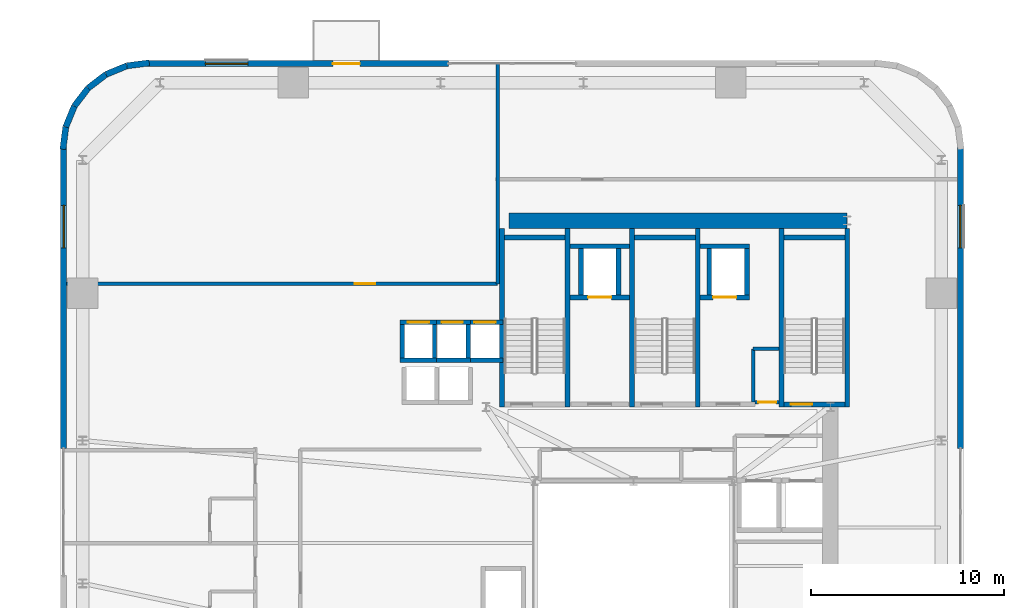
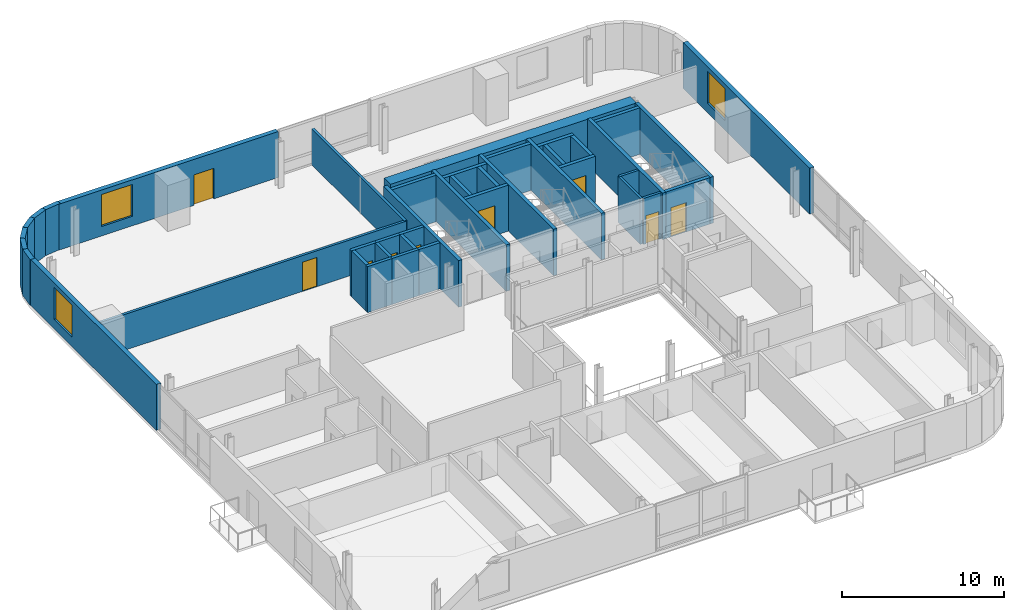
# One storey, part 8 of 14: 42 walls, 9 doors, 3 windows, 12 openings.
"""IFC4 building model written with IfcOpenShell, lengths in metres."""

from ifc_helpers import new_model, si_unit, direction, frame, frame_2d, origin, place, context, subcontext, project, spatial, rectangle, extrude, source, transform, mapped, material, layer, layer_set, type_object, element, fill, save


model = new_model("IFC4")

# Units and contexts
model_context = context("Model", 3, precision=1e-05, world=origin(), true_north=direction((0.0, 1.0)))
body_context = subcontext(model_context, "Body", "Model", "MODEL_VIEW")
ifc_project = project(units=[si_unit("LENGTHUNIT", "METRE"), si_unit("AREAUNIT", "SQUARE_METRE"), si_unit("VOLUMEUNIT", "CUBIC_METRE"), si_unit("PLANEANGLEUNIT", "RADIAN"), si_unit("MASSUNIT", "GRAM", prefix="KILO")], contexts=[model_context])

# Site, building, storey
site_placement = place(None, origin())
site = spatial("IfcSite", under=ifc_project, at=site_placement, CompositionType="ELEMENT")
building_placement = place(site_placement, origin())
building = spatial("IfcBuilding", under=site, at=building_placement, Name="Vardaveli Station Tower", CompositionType="ELEMENT")
storey_placement = place(building_placement, frame((0.0, 0.0, 152.0)))
storey = spatial("IfcBuildingStorey", under=building, at=storey_placement, Name="L39", CompositionType="ELEMENT", Elevation=152.0)

# Wall
ifc_material_1 = material(Name="Concrete C50/60", Category="concrete")
ifc_layer_1 = layer(ifc_material_1, 0.800048828125, Name="Concrete C50/60")
ifc_layer_set_1 = layer_set([ifc_layer_1], Name="Concrete C50/60")
wall_type_1 = type_object("IfcWallType", Name="WAL-CORE-800", PredefinedType="SHEAR", material=ifc_layer_set_1)
shared_shape_1 = source(origin(), body_context, "Body", "SweptSolid", [
    extrude(rectangle(XDim=17.52001953125, YDim=0.800048828125, at=frame_2d((8.760009765625, 0.0))), origin(), (0.0, 0.0, 1.0), 3.4599609375),
])
wall_1_placement = place(storey_placement, frame((29.85009765625, 40.300048828125, 0.0), z_axis=(0.0, 0.0, 1.0), x_axis=(1.0, 0.0, 0.0)))
element("IfcWall", 1, at=wall_1_placement, inside=storey, type_object=wall_type_1, Name="SW-L39-NORTH", PredefinedType="SHEAR", context=body_context, shape_type="MappedRepresentation", body=[
    mapped(shared_shape_1, transform((0.0, 0.0, 0.0), scale=1.0)),
])

# Wall, openings, door, window
ifc_material_2 = material(Name="Precast concrete C45/55", Category="concrete")
ifc_layer_2 = layer(ifc_material_2, 0.320068359375, Name="Precast concrete C45/55")
ifc_layer_set_2 = layer_set([ifc_layer_2], Name="Precast concrete C45/55")
wall_type_2 = type_object("IfcWallType", Name="WAL-EXT-STONE-320", PredefinedType="SOLIDWALL", material=ifc_layer_set_2)
shared_shape_2 = source(origin(), body_context, "Body", "SweptSolid", [
    extrude(rectangle(XDim=15.599853515625, YDim=0.320068359375, at=frame_2d((7.7998046875, 0.0))), origin(), (0.0, 0.0, 1.0), 3.4599609375),
])
wall_2_placement = place(storey_placement, frame((26.699951171875, 48.43994140625, 0.0), z_axis=(0.0, 0.0, 1.0), x_axis=(-1.0, 0.0, 0.0)))
wall_2 = element("IfcWall", 2, at=wall_2_placement, inside=storey, type_object=wall_type_2, Name="EW-L39-N2", PredefinedType="SOLIDWALL", context=body_context, shape_type="MappedRepresentation", body=[
    mapped(shared_shape_2, transform((0.0, 0.0, 0.0), scale=1.0)),
])
shared_shape_3 = source(origin(), body_context, "Body", "SweptSolid", [
    extrude(rectangle(XDim=1.39990234375, YDim=2.300048828125, at=frame_2d((0.699951171875, 1.14990234375))), frame((0.0, 0.169921875, 0.0), z_axis=(0.0, -1.0, 0.0), x_axis=(1.0, 0.0, 0.0)), (0.0, 0.0, 1.0), 0.340087890625),
])
opening_1_placement = place(wall_2_placement, frame((4.589599609375, 0.0, 0.0)))
opening_1 = element("IfcOpeningElement", 3, at=opening_1_placement, cuts=wall_2, Name="Opening D-09", PredefinedType="OPENING", context=body_context, shape_type="MappedRepresentation", body=[
    mapped(shared_shape_3, transform((0.0, 0.0, 0.0), scale=1.0)),
])
shared_shape_4 = source(origin(), body_context, "Body", "SweptSolid", [
    extrude(rectangle(XDim=2.199951171875, YDim=2.39990234375, at=frame_2d((1.10009765625, 1.199951171875))), frame((0.0, 0.169921875, 0.0), z_axis=(0.0, -1.0, 0.0), x_axis=(1.0, 0.0, 0.0)), (0.0, 0.0, 1.0), 0.340087890625),
])
opening_2_placement = place(wall_2_placement, frame((10.39501953125, 0.0, 0.719970703125)))
opening_2 = element("IfcOpeningElement", 4, at=opening_2_placement, cuts=wall_2, Name="Opening W-03", PredefinedType="OPENING", context=body_context, shape_type="MappedRepresentation", body=[
    mapped(shared_shape_4, transform((0.0, 0.0, 0.0), scale=1.0)),
])
ifc_material_3 = material(Name="Thermally broken aluminium glass", Category="aluminium")
door_type_1 = type_object("IfcDoorType", Name="DR-LOG-1400x2300", OperationType="DOUBLE_DOOR_SLIDING", PredefinedType="DOOR", material=ifc_material_3)
shared_shape_5 = source(origin(), body_context, "Body", "SweptSolid", [
    extrude(rectangle(XDim=1.39990234375, YDim=2.300048828125, at=frame_2d((0.699951171875, 1.14990234375))), frame((0.0, 0.02490234375, 0.0), z_axis=(0.0, -1.0, 0.0), x_axis=(1.0, 0.0, 0.0)), (0.0, 0.0, 1.0), 0.050048828125),
])
door_1_placement = place(opening_1_placement, frame((1.39990234375, 0.0, 0.0), z_axis=(0.0, 0.0, 1.0), x_axis=(-1.0, 0.0, 0.0)))
door_1 = element("IfcDoor", 5, at=door_1_placement, inside=storey, type_object=door_type_1, Name="DLG-L39-N", OperationType="DOUBLE_DOOR_SLIDING", OverallHeight=2.300048828125, OverallWidth=1.39990234375, PredefinedType="DOOR", context=body_context, shape_type="MappedRepresentation", body=[
    mapped(shared_shape_5, transform((0.0, 0.0, 0.0), scale=1.0)),
])
fill(opening_1, door_1)
ifc_material_4 = material(Name="Low-E solar-control glass", Category="glass")
window_type = type_object("IfcWindowType", Name="WIN-LOG-2200x2400", PartitioningType="SINGLE_PANEL", PredefinedType="WINDOW", material=ifc_material_4)
shared_shape_6 = source(origin(), body_context, "Body", "SweptSolid", [
    extrude(rectangle(XDim=2.199951171875, YDim=2.39990234375, at=frame_2d((1.10009765625, 1.199951171875))), frame((0.0, 0.030029296875, 0.0), z_axis=(0.0, -1.0, 0.0), x_axis=(1.0, 0.0, 0.0)), (0.0, 0.0, 1.0), 0.06005859375),
])
window_1_placement = place(opening_2_placement, origin())
window_1 = element("IfcWindow", 6, at=window_1_placement, inside=storey, type_object=window_type, Name="WN-L39-N2", OverallHeight=2.39990234375, OverallWidth=2.199951171875, PartitioningType="SINGLE_PANEL", PredefinedType="WINDOW", context=body_context, shape_type="MappedRepresentation", body=[
    mapped(shared_shape_6, transform((0.0, 0.0, 0.0), scale=1.0)),
])
fill(opening_2, window_1)

# Wall, opening, window
shared_shape_7 = source(origin(), body_context, "Body", "SweptSolid", [
    extrude(rectangle(XDim=15.60009765625, YDim=0.320068359375, at=frame_2d((7.800048828125, 0.0))), origin(), (0.0, 0.0, 1.0), 3.4599609375),
])
wall_3_placement = place(storey_placement, frame((6.760009765625, 44.10009765625, 0.0), z_axis=(0.0, 0.0, 1.0), x_axis=(0.0, -1.0, 0.0)))
wall_3 = element("IfcWall", 7, at=wall_3_placement, inside=storey, type_object=wall_type_2, Name="EW-L39-W1", PredefinedType="SOLIDWALL", context=body_context, shape_type="MappedRepresentation", body=[
    mapped(shared_shape_7, transform((0.0, 0.0, 0.0), scale=1.0)),
])
opening_3_placement = place(wall_3_placement, frame((3.0048828125, 0.0, 0.719970703125)))
opening_3 = element("IfcOpeningElement", 8, at=opening_3_placement, cuts=wall_3, Name="Opening W-03", PredefinedType="OPENING", context=body_context, shape_type="MappedRepresentation", body=[
    mapped(shared_shape_4, transform((0.0, 0.0, 0.0), scale=1.0)),
])
window_2_placement = place(opening_3_placement, origin())
window_2 = element("IfcWindow", 9, at=window_2_placement, inside=storey, type_object=window_type, Name="WN-L39-W1", OverallHeight=2.39990234375, OverallWidth=2.199951171875, PartitioningType="SINGLE_PANEL", PredefinedType="WINDOW", context=body_context, shape_type="MappedRepresentation", body=[
    mapped(shared_shape_6, transform((0.0, 0.0, 0.0), scale=1.0)),
])
fill(opening_3, window_2)

wall_4_placement = place(storey_placement, frame((53.239990234375, 28.5, 0.0), z_axis=(0.0, 0.0, 1.0), x_axis=(0.0, 1.0, 0.0)))
wall_4 = element("IfcWall", 10, at=wall_4_placement, inside=storey, type_object=wall_type_2, Name="EW-L39-E2", PredefinedType="SOLIDWALL", context=body_context, shape_type="MappedRepresentation", body=[
    mapped(shared_shape_7, transform((0.0, 0.0, 0.0), scale=1.0)),
])
opening_4_placement = place(wall_4_placement, frame((10.39501953125, 0.0, 0.719970703125)))
opening_4 = element("IfcOpeningElement", 11, at=opening_4_placement, cuts=wall_4, Name="Opening W-03", PredefinedType="OPENING", context=body_context, shape_type="MappedRepresentation", body=[
    mapped(shared_shape_4, transform((0.0, 0.0, 0.0), scale=1.0)),
])
window_3_placement = place(opening_4_placement, origin())
window_3 = element("IfcWindow", 12, at=window_3_placement, inside=storey, type_object=window_type, Name="WN-L39-E2", OverallHeight=2.39990234375, OverallWidth=2.199951171875, PartitioningType="SINGLE_PANEL", PredefinedType="WINDOW", context=body_context, shape_type="MappedRepresentation", body=[
    mapped(shared_shape_6, transform((0.0, 0.0, 0.0), scale=1.0)),
])
fill(opening_4, window_3)

# Walls
shared_shape_8 = source(origin(), body_context, "Body", "SweptSolid", [
    extrude(rectangle(XDim=1.1689453125, YDim=0.320068359375, at=frame_2d((0.58447265625, 0.0))), origin(), (0.0, 0.0, 1.0), 3.4599609375),
])
wall_5_placement = place(storey_placement, frame((8.03125, 47.1689453125, 0.0), z_axis=(0.0, 0.0, 1.0), x_axis=(-0.608387696831, -0.793639975269, 0.0)))
element("IfcWall", 13, at=wall_5_placement, inside=storey, type_object=wall_type_2, Name="EW-L39-CR4-4", PredefinedType="SOLIDWALL", context=body_context, shape_type="MappedRepresentation", body=[
    mapped(shared_shape_8, transform((0.0, 0.0, 0.0), scale=1.0)),
])
shared_shape_9 = source(origin(), body_context, "Body", "SweptSolid", [
    extrude(rectangle(XDim=1.168701171875, YDim=0.320068359375, at=frame_2d((0.58447265625, 0.0))), origin(), (0.0, 0.0, 1.0), 3.4599609375),
])
wall_6_placement = place(storey_placement, frame((8.958740234375, 47.8798828125, 0.0), z_axis=(0.0, 0.0, 1.0), x_axis=(-0.793663520347, -0.608356981114, 0.0)))
element("IfcWall", 14, at=wall_6_placement, inside=storey, type_object=wall_type_2, Name="EW-L39-CR4-3", PredefinedType="SOLIDWALL", context=body_context, shape_type="MappedRepresentation", body=[
    mapped(shared_shape_9, transform((0.0, 0.0, 0.0), scale=1.0)),
])
shared_shape_10 = source(origin(), body_context, "Body", "SweptSolid", [
    extrude(rectangle(XDim=1.17041015625, YDim=0.320068359375, at=frame_2d((0.585205078125, 0.0))), origin(), (0.0, 0.0, 1.0), 3.4599609375),
])
for number, where, z_axis, x_axis, name in (
    (15, (11.200439453125, 48.4755859375, 0.0), (0.0, 0.0, 1.0), (-0.991735963317, -0.128295670475, 0.0), "EW-L39-CR4-1"),
    (16, (6.87451171875, 45.16015625, 0.0), (0.0, 0.0, 1.0), (-0.128295670475, -0.991735963317, 0.0), "EW-L39-CR4-6"),
):
    element("IfcWall", number, at=place(storey_placement, frame(where, z_axis=z_axis, x_axis=x_axis)), inside=storey, type_object=wall_type_2, Name=name, PredefinedType="SOLIDWALL", context=body_context, shape_type="MappedRepresentation", body=[
        mapped(shared_shape_10, transform((0.0, 0.0, 0.0), scale=1.0)),
    ])
shared_shape_11 = source(origin(), body_context, "Body", "SweptSolid", [
    extrude(rectangle(XDim=1.169189453125, YDim=0.320068359375, at=frame_2d((0.58447265625, 0.0))), origin(), (0.0, 0.0, 1.0), 3.4599609375),
])
for number, where, z_axis, x_axis, name in (
    (17, (10.039794921875, 48.325439453125, 0.0), (0.0, 0.0, 1.0), (-0.924552646638, -0.381054331552, 0.0), "EW-L39-CR4-2"),
    (18, (7.320068359375, 46.2412109375, 0.0), (0.0, 0.0, 1.0), (-0.381054331552, -0.924552646638, 0.0), "EW-L39-CR4-5"),
):
    element("IfcWall", number, at=place(storey_placement, frame(where, z_axis=z_axis, x_axis=x_axis)), inside=storey, type_object=wall_type_2, Name=name, PredefinedType="SOLIDWALL", context=body_context, shape_type="MappedRepresentation", body=[
        mapped(shared_shape_11, transform((0.0, 0.0, 0.0), scale=1.0)),
    ])
ifc_material_5 = material(Name="Concrete C40/50", Category="concrete")
ifc_layer_3 = layer(ifc_material_5, 0.25, Name="Concrete C40/50")
ifc_layer_set_3 = layer_set([ifc_layer_3], Name="Concrete C40/50")
wall_type_3 = type_object("IfcWallType", Name="WAL-SHAFT-250", PredefinedType="SOLIDWALL", material=ifc_layer_set_3)
shared_shape_12 = source(origin(), body_context, "Body", "SweptSolid", [
    extrude(rectangle(XDim=9.25, YDim=0.25, at=frame_2d((4.625, 0.0))), origin(), (0.0, 0.0, 1.0), 3.5),
])
for number, where, z_axis, x_axis, name in (
    (19, (29.47509765625, 30.64990234375, 0.0), (0.0, 0.0, 1.0), (0.0, 1.0, 0.0), "W-L39-ST-1W"),
    (20, (32.875, 30.64990234375, 0.0), (0.0, 0.0, 1.0), (0.0, 1.0, 0.0), "W-L39-ST-1E"),
    (21, (36.22509765625, 30.64990234375, 0.0), (0.0, 0.0, 1.0), (0.0, 1.0, 0.0), "W-L39-ST-2W"),
    (22, (39.625, 30.64990234375, 0.0), (0.0, 0.0, 1.0), (0.0, 1.0, 0.0), "W-L39-ST-2E"),
    (23, (43.97509765625, 30.64990234375, 0.0), (0.0, 0.0, 1.0), (0.0, 1.0, 0.0), "W-L39-ST-3W"),
    (24, (47.375, 30.64990234375, 0.0), (0.0, 0.0, 1.0), (0.0, 1.0, 0.0), "W-L39-ST-3E"),
):
    element("IfcWall", number, at=place(storey_placement, frame(where, z_axis=z_axis, x_axis=x_axis)), inside=storey, type_object=wall_type_3, Name=name, PredefinedType="SOLIDWALL", context=body_context, shape_type="MappedRepresentation", body=[
        mapped(shared_shape_12, transform((0.0, 0.0, 0.0), scale=1.0)),
    ])
shared_shape_13 = source(origin(), body_context, "Body", "SweptSolid", [
    extrude(rectangle(XDim=3.14990234375, YDim=0.25, at=frame_2d((1.574951171875, 0.0))), origin(), (0.0, 0.0, 1.0), 3.5),
])
for number, where, z_axis, x_axis, name in (
    (25, (29.60009765625, 39.425048828125, 0.0), (0.0, 0.0, 1.0), (1.0, 0.0, 0.0), "W-L39-ST-1N"),
    (26, (36.35009765625, 39.425048828125, 0.0), (0.0, 0.0, 1.0), (1.0, 0.0, 0.0), "W-L39-ST-2N"),
    (27, (44.10009765625, 39.425048828125, 0.0), (0.0, 0.0, 1.0), (1.0, 0.0, 0.0), "W-L39-ST-3N"),
):
    element("IfcWall", number, at=place(storey_placement, frame(where, z_axis=z_axis, x_axis=x_axis)), inside=storey, type_object=wall_type_3, Name=name, PredefinedType="SOLIDWALL", context=body_context, shape_type="MappedRepresentation", body=[
        mapped(shared_shape_13, transform((0.0, 0.0, 0.0), scale=1.0)),
    ])

# Wall, opening, door
wall_7_placement = place(storey_placement, frame((44.10009765625, 30.77490234375, 0.0), z_axis=(0.0, 0.0, 1.0), x_axis=(1.0, 0.0, 0.0)))
wall_7 = element("IfcWall", 28, at=wall_7_placement, inside=storey, type_object=wall_type_3, Name="W-L39-ST-3S", PredefinedType="SOLIDWALL", context=body_context, shape_type="MappedRepresentation", body=[
    mapped(shared_shape_13, transform((0.0, 0.0, 0.0), scale=1.0)),
])
shared_shape_14 = source(origin(), body_context, "Body", "SweptSolid", [
    extrude(rectangle(XDim=1.10009765625, YDim=2.199951171875, at=frame_2d((0.550048828125, 1.10009765625))), frame((0.0, 0.135009765625, 0.0), z_axis=(0.0, -1.0, 0.0), x_axis=(1.0, 0.0, 0.0)), (0.0, 0.0, 1.0), 0.27001953125),
])
opening_5_placement = place(wall_7_placement, frame((0.35009765625, 0.0, 0.0)))
opening_5 = element("IfcOpeningElement", 29, at=opening_5_placement, cuts=wall_7, Name="Opening D-04", PredefinedType="OPENING", context=body_context, shape_type="MappedRepresentation", body=[
    mapped(shared_shape_14, transform((0.0, 0.0, 0.0), scale=1.0)),
])
ifc_material_6 = material(Name="Steel smokeproof fire doorset", Category="steel")
door_type_2 = type_object("IfcDoorType", Name="DR-ST-1100x2200", OperationType="NOTDEFINED", PredefinedType="DOOR", material=ifc_material_6)
shared_shape_15 = source(origin(), body_context, "Body", "SweptSolid", [
    extrude(rectangle(XDim=1.10009765625, YDim=2.199951171875, at=frame_2d((0.550048828125, 1.10009765625))), frame((0.0, 0.02490234375, 0.0), z_axis=(0.0, -1.0, 0.0), x_axis=(1.0, 0.0, 0.0)), (0.0, 0.0, 1.0), 0.050048828125),
])
door_2_placement = place(opening_5_placement, origin())
door_2 = element("IfcDoor", 30, at=door_2_placement, inside=storey, type_object=door_type_2, Name="DST-3-L39", OperationType="SINGLE_SWING_LEFT", OverallHeight=2.199951171875, OverallWidth=1.10009765625, PredefinedType="DOOR", context=body_context, shape_type="MappedRepresentation", body=[
    mapped(shared_shape_15, transform((0.0, 0.0, 0.0), scale=1.0)),
])
fill(opening_5, door_2)

# Wall
ifc_layer_4 = layer(ifc_material_5, 0.219970703125, Name="Concrete C40/50")
ifc_layer_set_4 = layer_set([ifc_layer_4], Name="Concrete C40/50")
wall_type_4 = type_object("IfcWallType", Name="WAL-FFLOBBY-220", PredefinedType="SOLIDWALL", material=ifc_layer_set_4)
shared_shape_16 = source(origin(), body_context, "Body", "SweptSolid", [
    extrude(rectangle(XDim=1.889892578125, YDim=0.219970703125, at=frame_2d((0.94482421875, 0.0))), origin(), (0.0, 0.0, 1.0), 3.4599609375),
])
wall_8_placement = place(storey_placement, frame((24.205078125, 33.06494140625, 0.0), z_axis=(0.0, 0.0, 1.0), x_axis=(1.0, 0.0, 0.0)))
element("IfcWall", 31, at=wall_8_placement, inside=storey, type_object=wall_type_4, Name="SHW-HL2-01-L39-S", PredefinedType="SOLIDWALL", context=body_context, shape_type="MappedRepresentation", body=[
    mapped(shared_shape_16, transform((0.0, 0.0, 0.0), scale=1.0)),
])

# Wall, opening, door
wall_9_placement = place(storey_placement, frame((24.205078125, 35.034912109375, 0.0), z_axis=(0.0, 0.0, 1.0), x_axis=(1.0, 0.0, 0.0)))
wall_9 = element("IfcWall", 32, at=wall_9_placement, inside=storey, type_object=wall_type_4, Name="SHW-HL2-01-L39-N", PredefinedType="SOLIDWALL", context=body_context, shape_type="MappedRepresentation", body=[
    mapped(shared_shape_16, transform((0.0, 0.0, 0.0), scale=1.0)),
])
shared_shape_17 = source(origin(), body_context, "Body", "SweptSolid", [
    extrude(rectangle(XDim=1.10009765625, YDim=2.199951171875, at=frame_2d((0.550048828125, 1.10009765625))), frame((0.0, 0.1201171875, 0.0), z_axis=(0.0, -1.0, 0.0), x_axis=(1.0, 0.0, 0.0)), (0.0, 0.0, 1.0), 0.239990234375),
])
opening_6_placement = place(wall_9_placement, frame((0.39501953125, 0.0, 0.0)))
opening_6 = element("IfcOpeningElement", 33, at=opening_6_placement, cuts=wall_9, Name="Opening LD-01", PredefinedType="OPENING", context=body_context, shape_type="MappedRepresentation", body=[
    mapped(shared_shape_17, transform((0.0, 0.0, 0.0), scale=1.0)),
])
ifc_material_7 = material(Name="Brushed stainless steel", Category="steel")
door_type_3 = type_object("IfcDoorType", Name="DR-LD-1100x2200", OperationType="DOUBLE_DOOR_SLIDING", PredefinedType="DOOR", material=ifc_material_7)
door_3_placement = place(opening_6_placement, origin())
door_3 = element("IfcDoor", 34, at=door_3_placement, inside=storey, type_object=door_type_3, Name="LD-HL2-01-L39", OperationType="DOUBLE_DOOR_SLIDING", OverallHeight=2.199951171875, OverallWidth=1.10009765625, PredefinedType="DOOR", context=body_context, shape_type="MappedRepresentation", body=[
    mapped(shared_shape_15, transform((0.0, 0.0, 0.0), scale=1.0)),
])
fill(opening_6, door_3)

# Wall
wall_10_placement = place(storey_placement, frame((25.955078125, 33.06494140625, 0.0), z_axis=(0.0, 0.0, 1.0), x_axis=(1.0, 0.0, 0.0)))
element("IfcWall", 35, at=wall_10_placement, inside=storey, type_object=wall_type_4, Name="SHW-HL2-02-L39-S", PredefinedType="SOLIDWALL", context=body_context, shape_type="MappedRepresentation", body=[
    mapped(shared_shape_16, transform((0.0, 0.0, 0.0), scale=1.0)),
])

# Wall, opening, door
wall_11_placement = place(storey_placement, frame((25.955078125, 35.034912109375, 0.0), z_axis=(0.0, 0.0, 1.0), x_axis=(1.0, 0.0, 0.0)))
wall_11 = element("IfcWall", 36, at=wall_11_placement, inside=storey, type_object=wall_type_4, Name="SHW-HL2-02-L39-N", PredefinedType="SOLIDWALL", context=body_context, shape_type="MappedRepresentation", body=[
    mapped(shared_shape_16, transform((0.0, 0.0, 0.0), scale=1.0)),
])
opening_7_placement = place(wall_11_placement, frame((0.39501953125, 0.0, 0.0)))
opening_7 = element("IfcOpeningElement", 37, at=opening_7_placement, cuts=wall_11, Name="Opening LD-01", PredefinedType="OPENING", context=body_context, shape_type="MappedRepresentation", body=[
    mapped(shared_shape_17, transform((0.0, 0.0, 0.0), scale=1.0)),
])
door_4_placement = place(opening_7_placement, origin())
door_4 = element("IfcDoor", 38, at=door_4_placement, inside=storey, type_object=door_type_3, Name="LD-HL2-02-L39", OperationType="DOUBLE_DOOR_SLIDING", OverallHeight=2.199951171875, OverallWidth=1.10009765625, PredefinedType="DOOR", context=body_context, shape_type="MappedRepresentation", body=[
    mapped(shared_shape_15, transform((0.0, 0.0, 0.0), scale=1.0)),
])
fill(opening_7, door_4)

# Wall
wall_12_placement = place(storey_placement, frame((27.655029296875, 33.06494140625, 0.0), z_axis=(0.0, 0.0, 1.0), x_axis=(1.0, 0.0, 0.0)))
element("IfcWall", 39, at=wall_12_placement, inside=storey, type_object=wall_type_4, Name="SHW-HL2-03-L39-S", PredefinedType="SOLIDWALL", context=body_context, shape_type="MappedRepresentation", body=[
    mapped(shared_shape_16, transform((0.0, 0.0, 0.0), scale=1.0)),
])

# Wall, opening, door
wall_13_placement = place(storey_placement, frame((27.655029296875, 35.034912109375, 0.0), z_axis=(0.0, 0.0, 1.0), x_axis=(1.0, 0.0, 0.0)))
wall_13 = element("IfcWall", 40, at=wall_13_placement, inside=storey, type_object=wall_type_4, Name="SHW-HL2-03-L39-N", PredefinedType="SOLIDWALL", context=body_context, shape_type="MappedRepresentation", body=[
    mapped(shared_shape_16, transform((0.0, 0.0, 0.0), scale=1.0)),
])
opening_8_placement = place(wall_13_placement, frame((0.39501953125, 0.0, 0.0)))
opening_8 = element("IfcOpeningElement", 41, at=opening_8_placement, cuts=wall_13, Name="Opening LD-01", PredefinedType="OPENING", context=body_context, shape_type="MappedRepresentation", body=[
    mapped(shared_shape_17, transform((0.0, 0.0, 0.0), scale=1.0)),
])
door_5_placement = place(opening_8_placement, origin())
door_5 = element("IfcDoor", 42, at=door_5_placement, inside=storey, type_object=door_type_3, Name="LD-HL2-03-L39", OperationType="DOUBLE_DOOR_SLIDING", OverallHeight=2.199951171875, OverallWidth=1.10009765625, PredefinedType="DOOR", context=body_context, shape_type="MappedRepresentation", body=[
    mapped(shared_shape_15, transform((0.0, 0.0, 0.0), scale=1.0)),
])
fill(opening_8, door_5)

# Walls
shared_shape_18 = source(origin(), body_context, "Body", "SweptSolid", [
    extrude(rectangle(XDim=1.75, YDim=0.219970703125, at=frame_2d((0.875, 0.0))), origin(), (0.0, 0.0, 1.0), 3.4599609375),
])
for number, where, z_axis, x_axis, name in (
    (43, (24.31494140625, 33.175048828125, 0.0), (0.0, 0.0, 1.0), (0.0, 1.0, 0.0), "SHW-HL2-01-L39-W"),
    (44, (25.985107421875, 33.175048828125, 0.0), (0.0, 0.0, 1.0), (0.0, 1.0, 0.0), "SHW-HL2-01-L39-E"),
    (45, (27.735107421875, 33.175048828125, 0.0), (0.0, 0.0, 1.0), (0.0, 1.0, 0.0), "SHW-HL2-02-L39-E"),
):
    element("IfcWall", number, at=place(storey_placement, frame(where, z_axis=z_axis, x_axis=x_axis)), inside=storey, type_object=wall_type_4, Name=name, PredefinedType="SOLIDWALL", context=body_context, shape_type="MappedRepresentation", body=[
        mapped(shared_shape_18, transform((0.0, 0.0, 0.0), scale=1.0)),
    ])

# Wall, opening, door
shared_shape_19 = source(origin(), body_context, "Body", "SweptSolid", [
    extrude(rectangle(XDim=3.10009765625, YDim=0.25, at=frame_2d((1.550048828125, 0.0))), origin(), (0.0, 0.0, 1.0), 3.4599609375),
])
wall_14_placement = place(storey_placement, frame((33.0, 36.324951171875, 0.0), z_axis=(0.0, 0.0, 1.0), x_axis=(1.0, 0.0, 0.0)))
wall_14 = element("IfcWall", 46, at=wall_14_placement, inside=storey, type_object=wall_type_3, Name="SHW-FFL-01-L39-S", PredefinedType="SOLIDWALL", context=body_context, shape_type="MappedRepresentation", body=[
    mapped(shared_shape_19, transform((0.0, 0.0, 0.0), scale=1.0)),
])
shared_shape_20 = source(origin(), body_context, "Body", "SweptSolid", [
    extrude(rectangle(XDim=1.199951171875, YDim=2.25, at=frame_2d((0.60009765625, 1.125))), frame((0.0, 0.135009765625, 0.0), z_axis=(0.0, -1.0, 0.0), x_axis=(1.0, 0.0, 0.0)), (0.0, 0.0, 1.0), 0.27001953125),
])
opening_9_placement = place(wall_14_placement, frame((0.949951171875, 0.0, 0.0)))
opening_9 = element("IfcOpeningElement", 47, at=opening_9_placement, cuts=wall_14, Name="Opening LD-02", PredefinedType="OPENING", context=body_context, shape_type="MappedRepresentation", body=[
    mapped(shared_shape_20, transform((0.0, 0.0, 0.0), scale=1.0)),
])
door_type_4 = type_object("IfcDoorType", Name="DR-LD-1200x2250", OperationType="DOUBLE_DOOR_SLIDING", PredefinedType="DOOR", material=ifc_material_7)
shared_shape_21 = source(origin(), body_context, "Body", "SweptSolid", [
    extrude(rectangle(XDim=1.199951171875, YDim=2.25, at=frame_2d((0.60009765625, 1.125))), frame((0.0, 0.02490234375, 0.0), z_axis=(0.0, -1.0, 0.0), x_axis=(1.0, 0.0, 0.0)), (0.0, 0.0, 1.0), 0.050048828125),
])
door_6_placement = place(opening_9_placement, origin())
door_6 = element("IfcDoor", 48, at=door_6_placement, inside=storey, type_object=door_type_4, Name="LD-FFL-01-L39", OperationType="DOUBLE_DOOR_SLIDING", OverallHeight=2.25, OverallWidth=1.199951171875, PredefinedType="DOOR", context=body_context, shape_type="MappedRepresentation", body=[
    mapped(shared_shape_21, transform((0.0, 0.0, 0.0), scale=1.0)),
])
fill(opening_9, door_6)

# Walls
wall_15_placement = place(storey_placement, frame((33.0, 38.97509765625, 0.0), z_axis=(0.0, 0.0, 1.0), x_axis=(1.0, 0.0, 0.0)))
element("IfcWall", 49, at=wall_15_placement, inside=storey, type_object=wall_type_3, Name="SHW-FFL-01-L39-N", PredefinedType="SOLIDWALL", context=body_context, shape_type="MappedRepresentation", body=[
    mapped(shared_shape_19, transform((0.0, 0.0, 0.0), scale=1.0)),
])
shared_shape_22 = source(origin(), body_context, "Body", "SweptSolid", [
    extrude(rectangle(XDim=2.400146484375, YDim=0.25, at=frame_2d((1.2001953125, 0.0))), origin(), (0.0, 0.0, 1.0), 3.4599609375),
])
for number, where, z_axis, x_axis, name in (
    (50, (33.574951171875, 36.449951171875, 0.0), (0.0, 0.0, 1.0), (0.0, 1.0, 0.0), "SHW-FFL-01-L39-W"),
    (51, (35.52490234375, 36.449951171875, 0.0), (0.0, 0.0, 1.0), (0.0, 1.0, 0.0), "SHW-FFL-01-L39-E"),
    (52, (40.22509765625, 36.449951171875, 0.0), (0.0, 0.0, 1.0), (0.0, 1.0, 0.0), "SHW-FFL-02-L39-W"),
    (53, (42.175048828125, 36.449951171875, 0.0), (0.0, 0.0, 1.0), (0.0, 1.0, 0.0), "SHW-FFL-02-L39-E"),
):
    element("IfcWall", number, at=place(storey_placement, frame(where, z_axis=z_axis, x_axis=x_axis)), inside=storey, type_object=wall_type_3, Name=name, PredefinedType="SOLIDWALL", context=body_context, shape_type="MappedRepresentation", body=[
        mapped(shared_shape_22, transform((0.0, 0.0, 0.0), scale=1.0)),
    ])

# Wall, opening, door
shared_shape_23 = source(origin(), body_context, "Body", "SweptSolid", [
    extrude(rectangle(XDim=2.550048828125, YDim=0.25, at=frame_2d((1.27490234375, 0.0))), origin(), (0.0, 0.0, 1.0), 3.4599609375),
])
wall_16_placement = place(storey_placement, frame((39.75, 36.324951171875, 0.0), z_axis=(0.0, 0.0, 1.0), x_axis=(1.0, 0.0, 0.0)))
wall_16 = element("IfcWall", 54, at=wall_16_placement, inside=storey, type_object=wall_type_3, Name="SHW-FFL-02-L39-S", PredefinedType="SOLIDWALL", context=body_context, shape_type="MappedRepresentation", body=[
    mapped(shared_shape_23, transform((0.0, 0.0, 0.0), scale=1.0)),
])
opening_10_placement = place(wall_16_placement, frame((0.675048828125, 0.0, 0.0)))
opening_10 = element("IfcOpeningElement", 55, at=opening_10_placement, cuts=wall_16, Name="Opening LD-02", PredefinedType="OPENING", context=body_context, shape_type="MappedRepresentation", body=[
    mapped(shared_shape_20, transform((0.0, 0.0, 0.0), scale=1.0)),
])
door_7_placement = place(opening_10_placement, origin())
door_7 = element("IfcDoor", 56, at=door_7_placement, inside=storey, type_object=door_type_4, Name="LD-FFL-02-L39", OperationType="DOUBLE_DOOR_SLIDING", OverallHeight=2.25, OverallWidth=1.199951171875, PredefinedType="DOOR", context=body_context, shape_type="MappedRepresentation", body=[
    mapped(shared_shape_21, transform((0.0, 0.0, 0.0), scale=1.0)),
])
fill(opening_10, door_7)

# Wall
wall_17_placement = place(storey_placement, frame((39.75, 38.97509765625, 0.0), z_axis=(0.0, 0.0, 1.0), x_axis=(1.0, 0.0, 0.0)))
element("IfcWall", 57, at=wall_17_placement, inside=storey, type_object=wall_type_3, Name="SHW-FFL-02-L39-N", PredefinedType="SOLIDWALL", context=body_context, shape_type="MappedRepresentation", body=[
    mapped(shared_shape_23, transform((0.0, 0.0, 0.0), scale=1.0)),
])

# Wall, opening, door
ifc_material_8 = material(Name="Fire-rated gypsum stud partition")
ifc_layer_5 = layer(ifc_material_8, 0.179931640625, Name="Fire-rated gypsum stud partition")
ifc_layer_set_5 = layer_set([ifc_layer_5], Name="Fire-rated gypsum stud partition")
wall_type_5 = type_object("IfcWallType", Name="WAL-CORR-180", PredefinedType="PARTITIONING", material=ifc_layer_set_5)
shared_shape_24 = source(origin(), body_context, "Body", "SweptSolid", [
    extrude(rectangle(XDim=22.327880859375, YDim=0.179931640625, at=frame_2d((11.1640625, 0.0))), origin(), (0.0, 0.0, 1.0), 2.701904296875),
])
wall_18_placement = place(storey_placement, frame((6.922119140625, 37.02001953125, 0.0), z_axis=(0.0, 0.0, 1.0), x_axis=(1.0, 0.0, 0.0)))
wall_18 = element("IfcWall", 58, at=wall_18_placement, inside=storey, type_object=wall_type_5, Name="W-L39-CNWS", PredefinedType="PARTITIONING", context=body_context, shape_type="MappedRepresentation", body=[
    mapped(shared_shape_24, transform((0.0, 0.0, 0.0), scale=1.0)),
])
shared_shape_25 = source(origin(), body_context, "Body", "SweptSolid", [
    extrude(rectangle(XDim=1.050048828125, YDim=2.199951171875, at=frame_2d((0.52490234375, 1.10009765625))), frame((0.0, 0.10009765625, 0.0), z_axis=(0.0, -1.0, 0.0), x_axis=(1.0, 0.0, 0.0)), (0.0, 0.0, 1.0), 0.199951171875),
])
opening_11_placement = place(wall_18_placement, frame((14.927978515625, 0.0, 0.0)))
opening_11 = element("IfcOpeningElement", 59, at=opening_11_placement, cuts=wall_18, Name="Opening D-05", PredefinedType="OPENING", context=body_context, shape_type="MappedRepresentation", body=[
    mapped(shared_shape_25, transform((0.0, 0.0, 0.0), scale=1.0)),
])
ifc_material_9 = material(Name="Walnut veneer acoustic fire door")
door_type_5 = type_object("IfcDoorType", Name="DR-SUITE-1050x2200", OperationType="NOTDEFINED", PredefinedType="DOOR", material=ifc_material_9)
shared_shape_26 = source(origin(), body_context, "Body", "SweptSolid", [
    extrude(rectangle(XDim=1.050048828125, YDim=2.199951171875, at=frame_2d((0.52490234375, 1.10009765625))), frame((0.0, 0.02490234375, 0.0), z_axis=(0.0, -1.0, 0.0), x_axis=(1.0, 0.0, 0.0)), (0.0, 0.0, 1.0), 0.050048828125),
])
door_8_placement = place(opening_11_placement, origin())
door_8 = element("IfcDoor", 60, at=door_8_placement, inside=storey, type_object=door_type_5, Name="D-L39-GNW1", OperationType="SINGLE_SWING_LEFT", OverallHeight=2.199951171875, OverallWidth=1.050048828125, PredefinedType="DOOR", context=body_context, shape_type="MappedRepresentation", body=[
    mapped(shared_shape_26, transform((0.0, 0.0, 0.0), scale=1.0)),
])
fill(opening_11, door_8)

# Wall
shared_shape_27 = source(origin(), body_context, "Body", "SweptSolid", [
    extrude(rectangle(XDim=11.449951171875, YDim=0.179931640625, at=frame_2d((5.72509765625, 0.0))), origin(), (0.0, 0.0, 1.0), 2.701904296875),
])
wall_19_placement = place(storey_placement, frame((29.25, 37.02001953125, 0.0), z_axis=(0.0, 0.0, 1.0), x_axis=(0.0, 1.0, 0.0)))
element("IfcWall", 61, at=wall_19_placement, inside=storey, type_object=wall_type_5, Name="W-L39-CNWE", PredefinedType="PARTITIONING", context=body_context, shape_type="MappedRepresentation", body=[
    mapped(shared_shape_27, transform((0.0, 0.0, 0.0), scale=1.0)),
])

# Wall, opening, door
shared_shape_28 = source(origin(), body_context, "Body", "SweptSolid", [
    extrude(rectangle(XDim=1.247802734375, YDim=0.179931640625, at=frame_2d((0.6240234375, 0.0))), origin(), (0.0, 0.0, 1.0), 3.4599609375),
])
wall_20_placement = place(storey_placement, frame((42.60009765625, 30.8798828125, 0.0), z_axis=(0.0, 0.0, 1.0), x_axis=(1.0, 0.0, 0.0)))
wall_20 = element("IfcWall", 62, at=wall_20_placement, inside=storey, type_object=wall_type_5, Name="W-L39-CBS0-S", PredefinedType="PARTITIONING", context=body_context, shape_type="MappedRepresentation", body=[
    mapped(shared_shape_28, transform((0.0, 0.0, 0.0), scale=1.0)),
])
shared_shape_29 = source(origin(), body_context, "Body", "SweptSolid", [
    extrude(rectangle(XDim=0.919921875, YDim=2.10009765625, at=frame_2d((0.4599609375, 1.050048828125))), frame((0.0, 0.10009765625, 0.0), z_axis=(0.0, -1.0, 0.0), x_axis=(1.0, 0.0, 0.0)), (0.0, 0.0, 1.0), 0.199951171875),
])
opening_12_placement = place(wall_20_placement, frame((0.1640625, 0.0, 0.0)))
opening_12 = element("IfcOpeningElement", 63, at=opening_12_placement, cuts=wall_20, Name="Opening D-07", PredefinedType="OPENING", context=body_context, shape_type="MappedRepresentation", body=[
    mapped(shared_shape_29, transform((0.0, 0.0, 0.0), scale=1.0)),
])
ifc_material_10 = material(Name="Moisture-resistant hardwood door", Category="wood")
door_type_6 = type_object("IfcDoorType", Name="DR-WC-920x2100", OperationType="NOTDEFINED", PredefinedType="DOOR", material=ifc_material_10)
shared_shape_30 = source(origin(), body_context, "Body", "SweptSolid", [
    extrude(rectangle(XDim=0.919921875, YDim=2.10009765625, at=frame_2d((0.4599609375, 1.050048828125))), frame((0.0, 0.02490234375, 0.0), z_axis=(0.0, -1.0, 0.0), x_axis=(1.0, 0.0, 0.0)), (0.0, 0.0, 1.0), 0.050048828125),
])
door_9_placement = place(opening_12_placement, origin())
door_9 = element("IfcDoor", 64, at=door_9_placement, inside=storey, type_object=door_type_6, Name="D-L39-CBS0", OperationType="SINGLE_SWING_LEFT", OverallHeight=2.10009765625, OverallWidth=0.919921875, PredefinedType="DOOR", context=body_context, shape_type="MappedRepresentation", body=[
    mapped(shared_shape_30, transform((0.0, 0.0, 0.0), scale=1.0)),
])
fill(opening_12, door_9)

# Walls
shared_shape_31 = source(origin(), body_context, "Body", "SweptSolid", [
    extrude(rectangle(XDim=1.347900390625, YDim=0.179931640625, at=frame_2d((0.673828125, 0.0))), origin(), (0.0, 0.0, 1.0), 3.4599609375),
])
wall_21_placement = place(storey_placement, frame((42.5, 33.64990234375, 0.0), z_axis=(0.0, 0.0, 1.0), x_axis=(1.0, 0.0, 0.0)))
element("IfcWall", 65, at=wall_21_placement, inside=storey, type_object=wall_type_5, Name="W-L39-CBS0-N", PredefinedType="PARTITIONING", context=body_context, shape_type="MappedRepresentation", body=[
    mapped(shared_shape_31, transform((0.0, 0.0, 0.0), scale=1.0)),
])
shared_shape_32 = source(origin(), body_context, "Body", "SweptSolid", [
    extrude(rectangle(XDim=2.7578125, YDim=0.179931640625, at=frame_2d((1.37890625, 0.0))), origin(), (0.0, 0.0, 1.0), 3.4599609375),
])
wall_22_placement = place(storey_placement, frame((42.5, 30.89208984375, 0.0), z_axis=(0.0, 0.0, 1.0), x_axis=(0.0, 1.0, 0.0)))
element("IfcWall", 66, at=wall_22_placement, inside=storey, type_object=wall_type_5, Name="W-L39-CBS0-W", PredefinedType="PARTITIONING", context=body_context, shape_type="MappedRepresentation", body=[
    mapped(shared_shape_32, transform((0.0, 0.0, 0.0), scale=1.0)),
])

save(model, "model.ifc")
